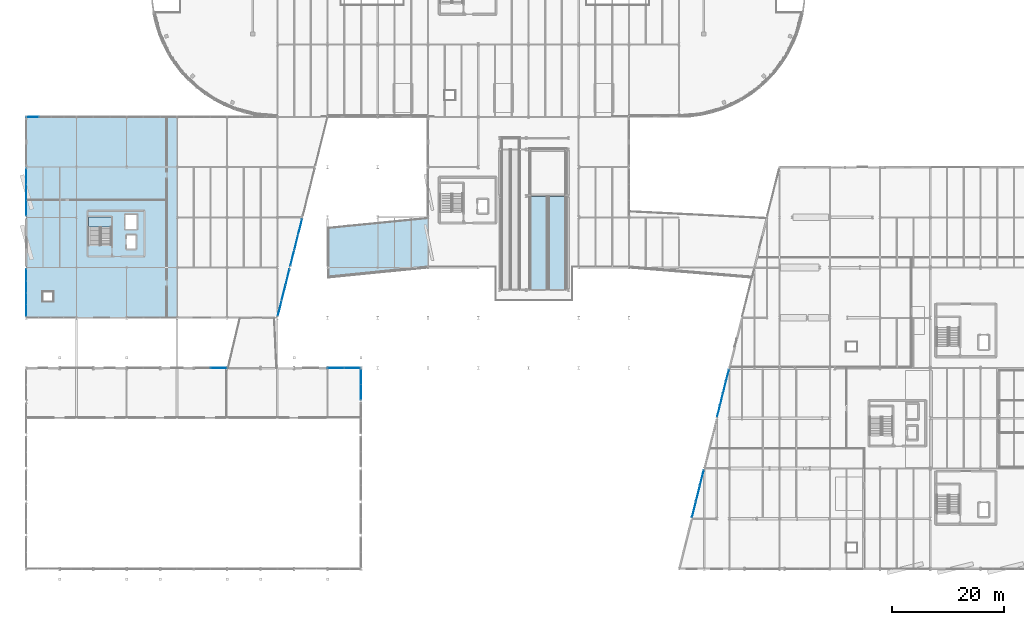
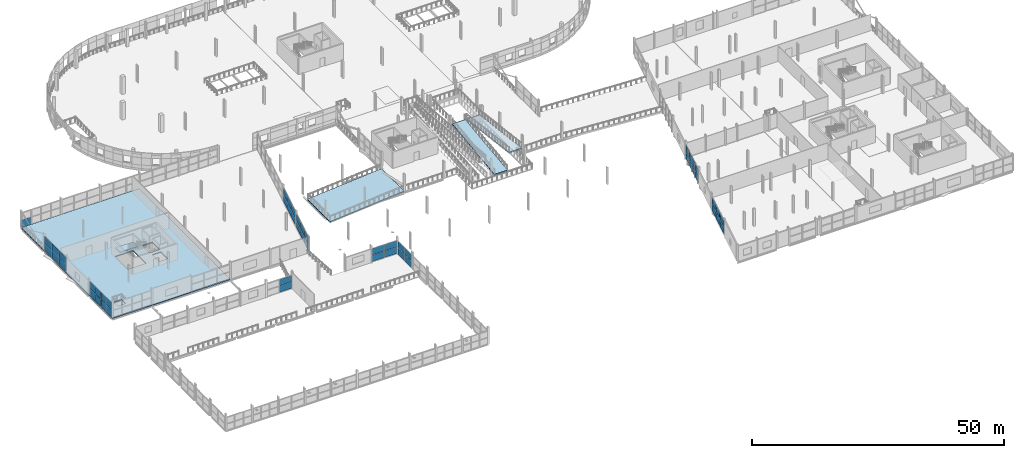
# One storey, part 103 of 135: 51 plates, 5 slabs, 11 elements without a shape of their own.
"""IFC4 building model written with IfcOpenShell, lengths in metres."""

from ifc_helpers import new_model, si_unit, direction, frame, origin, origin_2d, place, context, subcontext, project, spatial, polyline, rectangle, outline, extrude, material, layer, layer_set, type_object, element, aggregate, save


model = new_model("IFC4")

# Units and contexts
model_context = context("Model", 3, precision=1e-05, world=origin(), true_north=direction((0.0, 1.0)))
body_context = subcontext(model_context, "Body", "Model", "MODEL_VIEW")
ifc_project = project(units=[si_unit("LENGTHUNIT", "METRE"), si_unit("AREAUNIT", "SQUARE_METRE"), si_unit("VOLUMEUNIT", "CUBIC_METRE"), si_unit("PLANEANGLEUNIT", "RADIAN"), si_unit("MASSUNIT", "GRAM", prefix="KILO")], contexts=[model_context])

# Site, building, storey
site_placement = place(None, origin())
site = spatial("IfcSite", under=ifc_project, at=site_placement, CompositionType="ELEMENT")
building_placement = place(site_placement, origin())
building = spatial("IfcBuilding", under=site, at=building_placement, Name="Deido Ridge Mobility Hub", CompositionType="ELEMENT")
storey_placement = place(building_placement, frame((0.0, 0.0, 4.199951171875)))
storey = spatial("IfcBuildingStorey", under=building, at=storey_placement, Name="L01", CompositionType="ELEMENT", Elevation=4.199951171875)

# Curtain wall, plates
ifc_material_1 = material(Name="Anodised aluminium EN AW-6063 T6", Category="aluminium")
ifc_layer_1 = layer(ifc_material_1, 0.179931640625, Name="Anodised aluminium EN AW-6063 T6")
ifc_layer_set_1 = layer_set([ifc_layer_1], Name="Anodised aluminium EN AW-6063 T6")
curtain_wall_type_1 = type_object("IfcCurtainWallType", Name="CW-UF-2", PredefinedType="USERDEFINED", material=ifc_layer_set_1)
curtain_wall_1_placement = place(storey_placement, origin())
curtain_wall_1 = element("IfcCurtainWall", 1, at=curtain_wall_1_placement, inside=storey, type_object=curtain_wall_type_1, Name="Unitised curtain wall CW2", ObjectType="UNITISED FACADE", PredefinedType="USERDEFINED")
ifc_material_2 = material(Name="Laminated solar-control low-E glass", Category="glass")
ifc_layer_2 = layer(ifc_material_2, 0.02587890625, Name="Laminated solar-control low-E glass")
ifc_layer_set_2 = layer_set([ifc_layer_2], Name="Laminated solar-control low-E glass")
plate_type_1 = type_object("IfcPlateType", Name="PLT-CWP-26", PredefinedType="CURTAIN_PANEL", material=ifc_layer_set_2)
plate_1_placement = place(storey_placement, frame((124.07177734375, 28.287353515625, 0.050048828125), z_axis=(0.0, 0.0, 1.0), x_axis=(0.242530293767, 0.970143832947, 0.0)))
plate_1 = element("IfcPlate", 2, at=plate_1_placement, type_object=plate_type_1, Name="CW2 panel 1.1", PredefinedType="CURTAIN_PANEL", context=body_context, shape_type="SweptSolid", body=[
    extrude(rectangle(XDim=2.1318359375, YDim=0.02587890625, at=origin_2d()), origin(), (0.0, 0.0, 1.0), 1.5849609375),
])
plate_2_placement = place(storey_placement, frame((124.07177734375, 28.287353515625, 1.68505859375), z_axis=(0.0, 0.0, 1.0), x_axis=(0.242530293767, 0.970143832947, 0.0)))
plate_2 = element("IfcPlate", 3, at=plate_2_placement, type_object=plate_type_1, Name="CW2 panel 1.2", PredefinedType="CURTAIN_PANEL", context=body_context, shape_type="SweptSolid", body=[
    extrude(rectangle(XDim=2.1318359375, YDim=0.02587890625, at=origin_2d()), origin(), (0.0, 0.0, 1.0), 1.5849609375),
])
plate_3_placement = place(storey_placement, frame((124.60400390625, 30.416015625, 0.050048828125), z_axis=(0.0, 0.0, 1.0), x_axis=(0.242530293767, 0.970143832947, 0.0)))
plate_3 = element("IfcPlate", 4, at=plate_3_placement, type_object=plate_type_1, Name="CW2 panel 2.1", PredefinedType="CURTAIN_PANEL", context=body_context, shape_type="SweptSolid", body=[
    extrude(rectangle(XDim=2.15673828125, YDim=0.02587890625, at=origin_2d()), origin(), (0.0, 0.0, 1.0), 1.5849609375),
])
plate_4_placement = place(storey_placement, frame((124.60400390625, 30.416015625, 1.68505859375), z_axis=(0.0, 0.0, 1.0), x_axis=(0.242530293767, 0.970143832947, 0.0)))
plate_4 = element("IfcPlate", 5, at=plate_4_placement, type_object=plate_type_1, Name="CW2 panel 2.2", PredefinedType="CURTAIN_PANEL", context=body_context, shape_type="SweptSolid", body=[
    extrude(rectangle(XDim=2.15673828125, YDim=0.02587890625, at=origin_2d()), origin(), (0.0, 0.0, 1.0), 1.5849609375),
])
plate_5_placement = place(storey_placement, frame((125.13916015625, 32.556884765625, 0.050048828125), z_axis=(0.0, 0.0, 1.0), x_axis=(0.242530293767, 0.970143832947, 0.0)))
plate_5 = element("IfcPlate", 6, at=plate_5_placement, type_object=plate_type_1, Name="CW2 panel 3.1", PredefinedType="CURTAIN_PANEL", context=body_context, shape_type="SweptSolid", body=[
    extrude(rectangle(XDim=2.15673828125, YDim=0.02587890625, at=origin_2d()), origin(), (0.0, 0.0, 1.0), 1.5849609375),
])
plate_6_placement = place(storey_placement, frame((125.13916015625, 32.556884765625, 1.68505859375), z_axis=(0.0, 0.0, 1.0), x_axis=(0.242530293767, 0.970143832947, 0.0)))
plate_6 = element("IfcPlate", 7, at=plate_6_placement, type_object=plate_type_1, Name="CW2 panel 3.2", PredefinedType="CURTAIN_PANEL", context=body_context, shape_type="SweptSolid", body=[
    extrude(rectangle(XDim=2.15673828125, YDim=0.02587890625, at=origin_2d()), origin(), (0.0, 0.0, 1.0), 1.5849609375),
])
plate_7_placement = place(storey_placement, frame((125.67138671875, 34.685546875, 0.050048828125), z_axis=(0.0, 0.0, 1.0), x_axis=(0.242530293767, 0.970143832947, 0.0)))
plate_7 = element("IfcPlate", 8, at=plate_7_placement, type_object=plate_type_1, Name="CW2 panel 4.1", PredefinedType="CURTAIN_PANEL", context=body_context, shape_type="SweptSolid", body=[
    extrude(rectangle(XDim=2.1318359375, YDim=0.02587890625, at=origin_2d()), origin(), (0.0, 0.0, 1.0), 1.5849609375),
])
plate_8_placement = place(storey_placement, frame((125.67138671875, 34.685546875, 1.68505859375), z_axis=(0.0, 0.0, 1.0), x_axis=(0.242530293767, 0.970143832947, 0.0)))
plate_8 = element("IfcPlate", 9, at=plate_8_placement, type_object=plate_type_1, Name="CW2 panel 4.2", PredefinedType="CURTAIN_PANEL", context=body_context, shape_type="SweptSolid", body=[
    extrude(rectangle(XDim=2.1318359375, YDim=0.02587890625, at=origin_2d()), origin(), (0.0, 0.0, 1.0), 1.5849609375),
])
aggregate(curtain_wall_1, [plate_1, plate_2, plate_3, plate_4, plate_5, plate_6, plate_7, plate_8])

ifc_layer_3 = layer(ifc_material_1, 0.195068359375, Name="Anodised aluminium EN AW-6063 T6")
ifc_layer_set_3 = layer_set([ifc_layer_3], Name="Anodised aluminium EN AW-6063 T6")
curtain_wall_type_2 = type_object("IfcCurtainWallType", Name="CW-UF-3", PredefinedType="USERDEFINED", material=ifc_layer_set_3)
curtain_wall_2_placement = place(storey_placement, origin())
curtain_wall_2 = element("IfcCurtainWall", 10, at=curtain_wall_2_placement, inside=storey, type_object=curtain_wall_type_2, Name="Unitised curtain wall CW3", ObjectType="UNITISED FACADE", PredefinedType="USERDEFINED")
ifc_layer_4 = layer(ifc_material_2, 0.029052734375, Name="Laminated solar-control low-E glass")
ifc_layer_set_4 = layer_set([ifc_layer_4], Name="Laminated solar-control low-E glass")
plate_type_2 = type_object("IfcPlateType", Name="PLT-CWP-29", PredefinedType="CURTAIN_PANEL", material=ifc_layer_set_4)
plate_9_placement = place(storey_placement, frame((60.0, 31.686767578125, 0.05517578125), z_axis=(0.0, 0.0, 1.0), x_axis=(0.0, 1.0, 0.0)))
plate_9 = element("IfcPlate", 11, at=plate_9_placement, type_object=plate_type_2, Name="CW3 panel 1.1", PredefinedType="CURTAIN_PANEL", context=body_context, shape_type="SweptSolid", body=[
    extrude(rectangle(XDim=2.66357421875, YDim=0.029052734375, at=origin_2d()), origin(), (0.0, 0.0, 1.0), 1.54248046875),
])
plate_10_placement = place(storey_placement, frame((60.0, 31.686767578125, 1.652587890625), z_axis=(0.0, 0.0, 1.0), x_axis=(0.0, 1.0, 0.0)))
plate_10 = element("IfcPlate", 12, at=plate_10_placement, type_object=plate_type_2, Name="CW3 panel 1.2", PredefinedType="CURTAIN_PANEL", context=body_context, shape_type="SweptSolid", body=[
    extrude(rectangle(XDim=2.66357421875, YDim=0.029052734375, at=origin_2d()), origin(), (0.0, 0.0, 1.0), 1.54248046875),
])
plate_11_placement = place(storey_placement, frame((60.0, 34.4052734375, 0.05517578125), z_axis=(0.0, 0.0, 1.0), x_axis=(0.0, 1.0, 0.0)))
plate_11 = element("IfcPlate", 13, at=plate_11_placement, type_object=plate_type_2, Name="CW3 panel 2.1", PredefinedType="CURTAIN_PANEL", context=body_context, shape_type="SweptSolid", body=[
    extrude(rectangle(XDim=2.66357421875, YDim=0.029052734375, at=origin_2d()), origin(), (0.0, 0.0, 1.0), 1.54248046875),
])
plate_12_placement = place(storey_placement, frame((60.0, 34.4052734375, 1.652587890625), z_axis=(0.0, 0.0, 1.0), x_axis=(0.0, 1.0, 0.0)))
plate_12 = element("IfcPlate", 14, at=plate_12_placement, type_object=plate_type_2, Name="CW3 panel 2.2", PredefinedType="CURTAIN_PANEL", context=body_context, shape_type="SweptSolid", body=[
    extrude(rectangle(XDim=2.66357421875, YDim=0.029052734375, at=origin_2d()), origin(), (0.0, 0.0, 1.0), 1.54248046875),
])
aggregate(curtain_wall_2, [plate_9, plate_10, plate_11, plate_12])

curtain_wall_3_placement = place(storey_placement, origin())
curtain_wall_3 = element("IfcCurtainWall", 15, at=curtain_wall_3_placement, inside=storey, type_object=curtain_wall_type_1, Name="Unitised curtain wall CW2", ObjectType="UNITISED FACADE", PredefinedType="USERDEFINED")
plate_13_placement = place(storey_placement, frame((0.0, 46.326171875, 0.05517578125), z_axis=(0.0, 0.0, 1.0), x_axis=(0.0, 1.0, 0.0)))
plate_13 = element("IfcPlate", 16, at=plate_13_placement, type_object=plate_type_2, Name="CW2 panel 1.1", PredefinedType="CURTAIN_PANEL", context=body_context, shape_type="SweptSolid", body=[
    extrude(rectangle(XDim=2.04248046875, YDim=0.029052734375, at=origin_2d()), origin(), (0.0, 0.0, 1.0), 1.717529296875),
])
plate_14_placement = place(storey_placement, frame((0.0, 46.326171875, 1.82763671875), z_axis=(0.0, 0.0, 1.0), x_axis=(0.0, 1.0, 0.0)))
plate_14 = element("IfcPlate", 17, at=plate_14_placement, type_object=plate_type_2, Name="CW2 panel 1.2", PredefinedType="CURTAIN_PANEL", context=body_context, shape_type="SweptSolid", body=[
    extrude(rectangle(XDim=2.04248046875, YDim=0.029052734375, at=origin_2d()), origin(), (0.0, 0.0, 1.0), 1.717529296875),
])
plate_15_placement = place(storey_placement, frame((0.0, 48.4375, 0.05517578125), z_axis=(0.0, 0.0, 1.0), x_axis=(0.0, 1.0, 0.0)))
plate_15 = element("IfcPlate", 18, at=plate_15_placement, type_object=plate_type_2, Name="CW2 panel 2.1", PredefinedType="CURTAIN_PANEL", context=body_context, shape_type="SweptSolid", body=[
    extrude(rectangle(XDim=2.070068359375, YDim=0.029052734375, at=origin_2d()), origin(), (0.0, 0.0, 1.0), 1.717529296875),
])
plate_16_placement = place(storey_placement, frame((0.0, 48.4375, 1.82763671875), z_axis=(0.0, 0.0, 1.0), x_axis=(0.0, 1.0, 0.0)))
plate_16 = element("IfcPlate", 19, at=plate_16_placement, type_object=plate_type_2, Name="CW2 panel 2.2", PredefinedType="CURTAIN_PANEL", context=body_context, shape_type="SweptSolid", body=[
    extrude(rectangle(XDim=2.070068359375, YDim=0.029052734375, at=origin_2d()), origin(), (0.0, 0.0, 1.0), 1.717529296875),
])
plate_17_placement = place(storey_placement, frame((0.0, 50.5625, 0.05517578125), z_axis=(0.0, 0.0, 1.0), x_axis=(0.0, 1.0, 0.0)))
plate_17 = element("IfcPlate", 20, at=plate_17_placement, type_object=plate_type_2, Name="CW2 panel 3.1", PredefinedType="CURTAIN_PANEL", context=body_context, shape_type="SweptSolid", body=[
    extrude(rectangle(XDim=2.070068359375, YDim=0.029052734375, at=origin_2d()), origin(), (0.0, 0.0, 1.0), 1.717529296875),
])
plate_18_placement = place(storey_placement, frame((0.0, 50.5625, 1.82763671875), z_axis=(0.0, 0.0, 1.0), x_axis=(0.0, 1.0, 0.0)))
plate_18 = element("IfcPlate", 21, at=plate_18_placement, type_object=plate_type_2, Name="CW2 panel 3.2", PredefinedType="CURTAIN_PANEL", context=body_context, shape_type="SweptSolid", body=[
    extrude(rectangle(XDim=2.070068359375, YDim=0.029052734375, at=origin_2d()), origin(), (0.0, 0.0, 1.0), 1.717529296875),
])
plate_19_placement = place(storey_placement, frame((0.0, 52.673828125, 0.05517578125), z_axis=(0.0, 0.0, 1.0), x_axis=(0.0, 1.0, 0.0)))
plate_19 = element("IfcPlate", 22, at=plate_19_placement, type_object=plate_type_2, Name="CW2 panel 4.1", PredefinedType="CURTAIN_PANEL", context=body_context, shape_type="SweptSolid", body=[
    extrude(rectangle(XDim=2.04248046875, YDim=0.029052734375, at=origin_2d()), origin(), (0.0, 0.0, 1.0), 1.717529296875),
])
plate_20_placement = place(storey_placement, frame((0.0, 52.673828125, 1.82763671875), z_axis=(0.0, 0.0, 1.0), x_axis=(0.0, 1.0, 0.0)))
plate_20 = element("IfcPlate", 23, at=plate_20_placement, type_object=plate_type_2, Name="CW2 panel 4.2", PredefinedType="CURTAIN_PANEL", context=body_context, shape_type="SweptSolid", body=[
    extrude(rectangle(XDim=2.04248046875, YDim=0.029052734375, at=origin_2d()), origin(), (0.0, 0.0, 1.0), 1.717529296875),
])
aggregate(curtain_wall_3, [plate_13, plate_14, plate_15, plate_16, plate_17, plate_18, plate_19, plate_20])

# Curtain wall, plate
ifc_layer_5 = layer(ifc_material_1, 0.132080078125, Name="Anodised aluminium EN AW-6063 T6")
ifc_layer_set_5 = layer_set([ifc_layer_5], Name="Anodised aluminium EN AW-6063 T6")
curtain_wall_type_3 = type_object("IfcCurtainWallType", Name="CW-GS-1", PredefinedType="USERDEFINED", material=ifc_layer_set_5)
curtain_wall_4_placement = place(storey_placement, origin())
curtain_wall_4 = element("IfcCurtainWall", 24, at=curtain_wall_4_placement, inside=storey, type_object=curtain_wall_type_3, Name="Unitised curtain wall GS1", ObjectType="GLAZED SCREEN", PredefinedType="USERDEFINED")
plate_21_placement = place(storey_placement, frame((1.144287109375, 81.0, 0.05517578125), z_axis=(0.0, 0.0, 1.0), x_axis=(1.0, 0.0, 0.0)))
plate_21 = element("IfcPlate", 25, at=plate_21_placement, type_object=plate_type_2, Name="GS1 panel 1.1", PredefinedType="CURTAIN_PANEL", context=body_context, shape_type="SweptSolid", body=[
    extrude(rectangle(XDim=2.163818359375, YDim=0.029052734375, at=origin_2d()), origin(), (0.0, 0.0, 1.0), 1.717529296875),
])
aggregate(curtain_wall_4, [plate_21])

# Curtain wall, plates
ifc_layer_6 = layer(ifc_material_1, 0.14404296875, Name="Anodised aluminium EN AW-6063 T6")
ifc_layer_set_6 = layer_set([ifc_layer_6], Name="Anodised aluminium EN AW-6063 T6")
curtain_wall_type_4 = type_object("IfcCurtainWallType", Name="CW-GS-2", PredefinedType="USERDEFINED", material=ifc_layer_set_6)
curtain_wall_5_placement = place(storey_placement, origin())
curtain_wall_5 = element("IfcCurtainWall", 26, at=curtain_wall_5_placement, inside=storey, type_object=curtain_wall_type_4, Name="Unitised curtain wall GS2", ObjectType="GLAZED SCREEN", PredefinedType="USERDEFINED")
ifc_layer_7 = layer(ifc_material_2, 0.031005859375, Name="Laminated solar-control low-E glass")
ifc_layer_set_7 = layer_set([ifc_layer_7], Name="Laminated solar-control low-E glass")
plate_type_3 = type_object("IfcPlateType", Name="PLT-CWP-31", PredefinedType="CURTAIN_PANEL", material=ifc_layer_set_7)
plate_22_placement = place(storey_placement, frame((55.517822265625, 36.0, 0.06005859375), z_axis=(0.0, 0.0, 1.0), x_axis=(1.0, 0.0, 0.0)))
plate_22 = element("IfcPlate", 27, at=plate_22_placement, type_object=plate_type_3, Name="GS2 panel 1.1", PredefinedType="CURTAIN_PANEL", context=body_context, shape_type="SweptSolid", body=[
    extrude(rectangle(XDim=2.900146484375, YDim=0.031005859375, at=origin_2d()), origin(), (0.0, 0.0, 1.0), 1.534912109375),
])
plate_23_placement = place(storey_placement, frame((55.517822265625, 36.0, 1.6552734375), z_axis=(0.0, 0.0, 1.0), x_axis=(1.0, 0.0, 0.0)))
plate_23 = element("IfcPlate", 28, at=plate_23_placement, type_object=plate_type_3, Name="GS2 panel 1.2", PredefinedType="CURTAIN_PANEL", context=body_context, shape_type="SweptSolid", body=[
    extrude(rectangle(XDim=2.900146484375, YDim=0.031005859375, at=origin_2d()), origin(), (0.0, 0.0, 1.0), 1.534912109375),
])
plate_24_placement = place(storey_placement, frame((58.47802734375, 36.0, 0.06005859375), z_axis=(0.0, 0.0, 1.0), x_axis=(1.0, 0.0, 0.0)))
plate_24 = element("IfcPlate", 29, at=plate_24_placement, type_object=plate_type_3, Name="GS2 panel 2.1", PredefinedType="CURTAIN_PANEL", context=body_context, shape_type="SweptSolid", body=[
    extrude(rectangle(XDim=2.900146484375, YDim=0.031005859375, at=origin_2d()), origin(), (0.0, 0.0, 1.0), 1.534912109375),
])
plate_25_placement = place(storey_placement, frame((58.47802734375, 36.0, 1.6552734375), z_axis=(0.0, 0.0, 1.0), x_axis=(1.0, 0.0, 0.0)))
plate_25 = element("IfcPlate", 30, at=plate_25_placement, type_object=plate_type_3, Name="GS2 panel 2.2", PredefinedType="CURTAIN_PANEL", context=body_context, shape_type="SweptSolid", body=[
    extrude(rectangle(XDim=2.900146484375, YDim=0.031005859375, at=origin_2d()), origin(), (0.0, 0.0, 1.0), 1.534912109375),
])
aggregate(curtain_wall_5, [plate_22, plate_23, plate_24, plate_25])

ifc_layer_8 = layer(ifc_material_1, 0.2099609375, Name="Anodised aluminium EN AW-6063 T6")
ifc_layer_set_8 = layer_set([ifc_layer_8], Name="Anodised aluminium EN AW-6063 T6")
curtain_wall_type_5 = type_object("IfcCurtainWallType", Name="CW-UF-4", PredefinedType="USERDEFINED", material=ifc_layer_set_8)
curtain_wall_6_placement = place(storey_placement, origin())
curtain_wall_6 = element("IfcCurtainWall", 31, at=curtain_wall_6_placement, inside=storey, type_object=curtain_wall_type_5, Name="Unitised curtain wall CW4", ObjectType="UNITISED FACADE", PredefinedType="USERDEFINED")
ifc_layer_9 = layer(ifc_material_2, 0.032958984375, Name="Laminated solar-control low-E glass")
ifc_layer_set_9 = layer_set([ifc_layer_9], Name="Laminated solar-control low-E glass")
plate_type_4 = type_object("IfcPlateType", Name="PLT-CWP-33", PredefinedType="CURTAIN_PANEL", material=ifc_layer_set_9)
plate_26_placement = place(storey_placement, frame((0.0, 64.682861328125, 0.06494140625), z_axis=(0.0, 0.0, 1.0), x_axis=(0.0, 1.0, 0.0)))
plate_26 = element("IfcPlate", 32, at=plate_26_placement, type_object=plate_type_4, Name="CW4 panel 1.1", PredefinedType="CURTAIN_PANEL", context=body_context, shape_type="SweptSolid", body=[
    extrude(rectangle(XDim=2.73583984375, YDim=0.032958984375, at=origin_2d()), origin(), (0.0, 0.0, 1.0), 1.702392578125),
])
plate_27_placement = place(storey_placement, frame((0.0, 64.682861328125, 1.83251953125), z_axis=(0.0, 0.0, 1.0), x_axis=(0.0, 1.0, 0.0)))
plate_27 = element("IfcPlate", 33, at=plate_27_placement, type_object=plate_type_4, Name="CW4 panel 1.2", PredefinedType="CURTAIN_PANEL", context=body_context, shape_type="SweptSolid", body=[
    extrude(rectangle(XDim=2.73583984375, YDim=0.032958984375, at=origin_2d()), origin(), (0.0, 0.0, 1.0), 1.702392578125),
])
plate_28_placement = place(storey_placement, frame((0.0, 67.5, 0.06494140625), z_axis=(0.0, 0.0, 1.0), x_axis=(0.0, 1.0, 0.0)))
plate_28 = element("IfcPlate", 34, at=plate_28_placement, type_object=plate_type_4, Name="CW4 panel 2.1", PredefinedType="CURTAIN_PANEL", context=body_context, shape_type="SweptSolid", body=[
    extrude(rectangle(XDim=2.768310546875, YDim=0.032958984375, at=origin_2d()), origin(), (0.0, 0.0, 1.0), 1.702392578125),
])
plate_29_placement = place(storey_placement, frame((0.0, 67.5, 1.83251953125), z_axis=(0.0, 0.0, 1.0), x_axis=(0.0, 1.0, 0.0)))
plate_29 = element("IfcPlate", 35, at=plate_29_placement, type_object=plate_type_4, Name="CW4 panel 2.2", PredefinedType="CURTAIN_PANEL", context=body_context, shape_type="SweptSolid", body=[
    extrude(rectangle(XDim=2.768310546875, YDim=0.032958984375, at=origin_2d()), origin(), (0.0, 0.0, 1.0), 1.702392578125),
])
plate_30_placement = place(storey_placement, frame((0.0, 70.317138671875, 0.06494140625), z_axis=(0.0, 0.0, 1.0), x_axis=(0.0, 1.0, 0.0)))
plate_30 = element("IfcPlate", 36, at=plate_30_placement, type_object=plate_type_4, Name="CW4 panel 3.1", PredefinedType="CURTAIN_PANEL", context=body_context, shape_type="SweptSolid", body=[
    extrude(rectangle(XDim=2.73583984375, YDim=0.032958984375, at=origin_2d()), origin(), (0.0, 0.0, 1.0), 1.702392578125),
])
plate_31_placement = place(storey_placement, frame((0.0, 70.317138671875, 1.83251953125), z_axis=(0.0, 0.0, 1.0), x_axis=(0.0, 1.0, 0.0)))
plate_31 = element("IfcPlate", 37, at=plate_31_placement, type_object=plate_type_4, Name="CW4 panel 3.2", PredefinedType="CURTAIN_PANEL", context=body_context, shape_type="SweptSolid", body=[
    extrude(rectangle(XDim=2.73583984375, YDim=0.032958984375, at=origin_2d()), origin(), (0.0, 0.0, 1.0), 1.702392578125),
])
aggregate(curtain_wall_6, [plate_26, plate_27, plate_28, plate_29, plate_30, plate_31])

ifc_layer_10 = layer(ifc_material_1, 0.22509765625, Name="Anodised aluminium EN AW-6063 T6")
ifc_layer_set_10 = layer_set([ifc_layer_10], Name="Anodised aluminium EN AW-6063 T6")
curtain_wall_type_6 = type_object("IfcCurtainWallType", Name="CW-UF-5", PredefinedType="USERDEFINED", material=ifc_layer_set_10)
curtain_wall_7_placement = place(storey_placement, origin())
curtain_wall_7 = element("IfcCurtainWall", 38, at=curtain_wall_7_placement, inside=storey, type_object=curtain_wall_type_6, Name="Unitised curtain wall CW5", ObjectType="UNITISED FACADE", PredefinedType="USERDEFINED")
ifc_layer_11 = layer(ifc_material_2, 0.037109375, Name="Laminated solar-control low-E glass")
ifc_layer_set_11 = layer_set([ifc_layer_11], Name="Laminated solar-control low-E glass")
plate_type_5 = type_object("IfcPlateType", Name="PLT-CWP-37", PredefinedType="CURTAIN_PANEL", material=ifc_layer_set_11)
plate_32_placement = place(storey_placement, frame((45.424560546875, 46.698486328125, 0.074951171875), z_axis=(0.0, 0.0, 1.0), x_axis=(0.242546419373, 0.970139801497, 0.0)))
plate_32 = element("IfcPlate", 39, at=plate_32_placement, type_object=plate_type_5, Name="CW5 panel 1.1", PredefinedType="CURTAIN_PANEL", context=body_context, shape_type="SweptSolid", body=[
    extrude(rectangle(XDim=2.7939453125, YDim=0.037109375, at=origin_2d()), origin(), (0.0, 0.0, 1.0), 1.6875),
])
plate_33_placement = place(storey_placement, frame((45.424560546875, 46.698486328125, 1.837646484375), z_axis=(0.0, 0.0, 1.0), x_axis=(0.242546419373, 0.970139801497, 0.0)))
plate_33 = element("IfcPlate", 40, at=plate_33_placement, type_object=plate_type_5, Name="CW5 panel 1.2", PredefinedType="CURTAIN_PANEL", context=body_context, shape_type="SweptSolid", body=[
    extrude(rectangle(XDim=2.7939453125, YDim=0.037109375, at=origin_2d()), origin(), (0.0, 0.0, 1.0), 1.6875),
])
plate_34_placement = place(storey_placement, frame((46.125, 49.5, 0.074951171875), z_axis=(0.0, 0.0, 1.0), x_axis=(0.242546419373, 0.970139801497, 0.0)))
plate_34 = element("IfcPlate", 41, at=plate_34_placement, type_object=plate_type_5, Name="CW5 panel 2.1", PredefinedType="CURTAIN_PANEL", context=body_context, shape_type="SweptSolid", body=[
    extrude(rectangle(XDim=2.831298828125, YDim=0.037109375, at=origin_2d()), origin(), (0.0, 0.0, 1.0), 1.6875),
])
plate_35_placement = place(storey_placement, frame((46.125, 49.5, 1.837646484375), z_axis=(0.0, 0.0, 1.0), x_axis=(0.242546419373, 0.970139801497, 0.0)))
plate_35 = element("IfcPlate", 42, at=plate_35_placement, type_object=plate_type_5, Name="CW5 panel 2.2", PredefinedType="CURTAIN_PANEL", context=body_context, shape_type="SweptSolid", body=[
    extrude(rectangle(XDim=2.831298828125, YDim=0.037109375, at=origin_2d()), origin(), (0.0, 0.0, 1.0), 1.6875),
])
plate_36_placement = place(storey_placement, frame((46.825439453125, 52.301513671875, 0.074951171875), z_axis=(0.0, 0.0, 1.0), x_axis=(0.242546419373, 0.970139801497, 0.0)))
plate_36 = element("IfcPlate", 43, at=plate_36_placement, type_object=plate_type_5, Name="CW5 panel 3.1", PredefinedType="CURTAIN_PANEL", context=body_context, shape_type="SweptSolid", body=[
    extrude(rectangle(XDim=2.7939453125, YDim=0.037109375, at=origin_2d()), origin(), (0.0, 0.0, 1.0), 1.6875),
])
plate_37_placement = place(storey_placement, frame((46.825439453125, 52.301513671875, 1.837646484375), z_axis=(0.0, 0.0, 1.0), x_axis=(0.242546419373, 0.970139801497, 0.0)))
plate_37 = element("IfcPlate", 44, at=plate_37_placement, type_object=plate_type_5, Name="CW5 panel 3.2", PredefinedType="CURTAIN_PANEL", context=body_context, shape_type="SweptSolid", body=[
    extrude(rectangle(XDim=2.7939453125, YDim=0.037109375, at=origin_2d()), origin(), (0.0, 0.0, 1.0), 1.6875),
])
aggregate(curtain_wall_7, [plate_32, plate_33, plate_34, plate_35, plate_36, plate_37])

curtain_wall_8_placement = place(storey_placement, origin())
curtain_wall_8 = element("IfcCurtainWall", 45, at=curtain_wall_8_placement, inside=storey, type_object=curtain_wall_type_4, Name="Unitised curtain wall GS2", ObjectType="GLAZED SCREEN", PredefinedType="USERDEFINED")
ifc_layer_12 = layer(ifc_material_2, 0.0390625, Name="Laminated solar-control low-E glass")
ifc_layer_set_12 = layer_set([ifc_layer_12], Name="Laminated solar-control low-E glass")
plate_type_6 = type_object("IfcPlateType", Name="PLT-CWP-39", PredefinedType="CURTAIN_PANEL", material=ifc_layer_set_12)
plate_38_placement = place(storey_placement, frame((34.47705078125, 36.0, 0.080078125), z_axis=(0.0, 0.0, 1.0), x_axis=(1.0, 0.0, 0.0)))
plate_38 = element("IfcPlate", 46, at=plate_38_placement, type_object=plate_type_6, Name="GS2 panel 2.1", PredefinedType="CURTAIN_PANEL", context=body_context, shape_type="SweptSolid", body=[
    extrude(rectangle(XDim=2.8701171875, YDim=0.0390625, at=origin_2d()), origin(), (0.0, 0.0, 1.0), 1.5048828125),
])
plate_39_placement = place(storey_placement, frame((34.47705078125, 36.0, 1.6650390625), z_axis=(0.0, 0.0, 1.0), x_axis=(1.0, 0.0, 0.0)))
plate_39 = element("IfcPlate", 47, at=plate_39_placement, type_object=plate_type_6, Name="GS2 panel 2.2", PredefinedType="CURTAIN_PANEL", context=body_context, shape_type="SweptSolid", body=[
    extrude(rectangle(XDim=2.8701171875, YDim=0.0390625, at=origin_2d()), origin(), (0.0, 0.0, 1.0), 1.5048828125),
])
aggregate(curtain_wall_8, [plate_38, plate_39])

ifc_layer_13 = layer(ifc_material_1, 0.239990234375, Name="Anodised aluminium EN AW-6063 T6")
ifc_layer_set_13 = layer_set([ifc_layer_13], Name="Anodised aluminium EN AW-6063 T6")
curtain_wall_type_7 = type_object("IfcCurtainWallType", Name="CW-UF-6", PredefinedType="USERDEFINED", material=ifc_layer_set_13)
curtain_wall_9_placement = place(storey_placement, origin())
curtain_wall_9 = element("IfcCurtainWall", 48, at=curtain_wall_9_placement, inside=storey, type_object=curtain_wall_type_7, Name="Unitised curtain wall CW6", ObjectType="UNITISED FACADE", PredefinedType="USERDEFINED")
plate_40_placement = place(storey_placement, frame((47.6748046875, 55.69970703125, 0.080078125), z_axis=(0.0, 0.0, 1.0), x_axis=(0.242546419373, 0.970139801497, 0.0)))
plate_40 = element("IfcPlate", 49, at=plate_40_placement, type_object=plate_type_6, Name="CW6 panel 1.1", PredefinedType="CURTAIN_PANEL", context=body_context, shape_type="SweptSolid", body=[
    extrude(rectangle(XDim=2.786376953125, YDim=0.0390625, at=origin_2d()), origin(), (0.0, 0.0, 1.0), 1.679931640625),
])
plate_41_placement = place(storey_placement, frame((47.6748046875, 55.69970703125, 1.83984375), z_axis=(0.0, 0.0, 1.0), x_axis=(0.242546419373, 0.970139801497, 0.0)))
plate_41 = element("IfcPlate", 50, at=plate_41_placement, type_object=plate_type_6, Name="CW6 panel 1.2", PredefinedType="CURTAIN_PANEL", context=body_context, shape_type="SweptSolid", body=[
    extrude(rectangle(XDim=2.786376953125, YDim=0.0390625, at=origin_2d()), origin(), (0.0, 0.0, 1.0), 1.679931640625),
])
plate_42_placement = place(storey_placement, frame((48.375, 58.5, 0.080078125), z_axis=(0.0, 0.0, 1.0), x_axis=(0.242546419373, 0.970139801497, 0.0)))
plate_42 = element("IfcPlate", 51, at=plate_42_placement, type_object=plate_type_6, Name="CW6 panel 2.1", PredefinedType="CURTAIN_PANEL", context=body_context, shape_type="SweptSolid", body=[
    extrude(rectangle(XDim=2.826416015625, YDim=0.0390625, at=origin_2d()), origin(), (0.0, 0.0, 1.0), 1.679931640625),
])
plate_43_placement = place(storey_placement, frame((48.375, 58.5, 1.83984375), z_axis=(0.0, 0.0, 1.0), x_axis=(0.242546419373, 0.970139801497, 0.0)))
plate_43 = element("IfcPlate", 52, at=plate_43_placement, type_object=plate_type_6, Name="CW6 panel 2.2", PredefinedType="CURTAIN_PANEL", context=body_context, shape_type="SweptSolid", body=[
    extrude(rectangle(XDim=2.826416015625, YDim=0.0390625, at=origin_2d()), origin(), (0.0, 0.0, 1.0), 1.679931640625),
])
plate_44_placement = place(storey_placement, frame((49.0751953125, 61.30029296875, 0.080078125), z_axis=(0.0, 0.0, 1.0), x_axis=(0.242546419373, 0.970139801497, 0.0)))
plate_44 = element("IfcPlate", 53, at=plate_44_placement, type_object=plate_type_6, Name="CW6 panel 3.1", PredefinedType="CURTAIN_PANEL", context=body_context, shape_type="SweptSolid", body=[
    extrude(rectangle(XDim=2.786376953125, YDim=0.0390625, at=origin_2d()), origin(), (0.0, 0.0, 1.0), 1.679931640625),
])
plate_45_placement = place(storey_placement, frame((49.0751953125, 61.30029296875, 1.83984375), z_axis=(0.0, 0.0, 1.0), x_axis=(0.242546419373, 0.970139801497, 0.0)))
plate_45 = element("IfcPlate", 54, at=plate_45_placement, type_object=plate_type_6, Name="CW6 panel 3.2", PredefinedType="CURTAIN_PANEL", context=body_context, shape_type="SweptSolid", body=[
    extrude(rectangle(XDim=2.786376953125, YDim=0.0390625, at=origin_2d()), origin(), (0.0, 0.0, 1.0), 1.679931640625),
])
aggregate(curtain_wall_9, [plate_40, plate_41, plate_42, plate_43, plate_44, plate_45])

ifc_layer_14 = layer(ifc_material_1, 0.27001953125, Name="Anodised aluminium EN AW-6063 T6")
ifc_layer_set_14 = layer_set([ifc_layer_14], Name="Anodised aluminium EN AW-6063 T6")
curtain_wall_type_8 = type_object("IfcCurtainWallType", Name="CW-UF-8", PredefinedType="USERDEFINED", material=ifc_layer_set_14)
curtain_wall_10_placement = place(storey_placement, origin())
curtain_wall_10 = element("IfcCurtainWall", 55, at=curtain_wall_10_placement, inside=storey, type_object=curtain_wall_type_8, Name="Unitised curtain wall CW8", ObjectType="UNITISED FACADE", PredefinedType="USERDEFINED")
plate_46_placement = place(storey_placement, frame((119.6640625, 10.65576171875, 0.080078125), z_axis=(0.0, 0.0, 1.0), x_axis=(0.242530310632, 0.970143828731, 0.0)))
plate_46 = element("IfcPlate", 56, at=plate_46_placement, type_object=plate_type_6, Name="CW8 panel 1.1", PredefinedType="CURTAIN_PANEL", context=body_context, shape_type="SweptSolid", body=[
    extrude(rectangle(XDim=2.83154296875, YDim=0.0390625, at=origin_2d()), origin(), (0.0, 0.0, 1.0), 1.5400390625),
])
plate_47_placement = place(storey_placement, frame((119.6640625, 10.65576171875, 1.699951171875), z_axis=(0.0, 0.0, 1.0), x_axis=(0.242530310632, 0.970143828731, 0.0)))
plate_47 = element("IfcPlate", 57, at=plate_47_placement, type_object=plate_type_6, Name="CW8 panel 1.2", PredefinedType="CURTAIN_PANEL", context=body_context, shape_type="SweptSolid", body=[
    extrude(rectangle(XDim=2.83154296875, YDim=0.0390625, at=origin_2d()), origin(), (0.0, 0.0, 1.0), 1.5400390625),
])
plate_48_placement = place(storey_placement, frame((120.375, 13.5, 0.080078125), z_axis=(0.0, 0.0, 1.0), x_axis=(0.242530310632, 0.970143828731, 0.0)))
plate_48 = element("IfcPlate", 58, at=plate_48_placement, type_object=plate_type_6, Name="CW8 panel 2.1", PredefinedType="CURTAIN_PANEL", context=body_context, shape_type="SweptSolid", body=[
    extrude(rectangle(XDim=2.87158203125, YDim=0.0390625, at=origin_2d()), origin(), (0.0, 0.0, 1.0), 1.5400390625),
])
plate_49_placement = place(storey_placement, frame((120.375, 13.5, 1.699951171875), z_axis=(0.0, 0.0, 1.0), x_axis=(0.242530310632, 0.970143828731, 0.0)))
plate_49 = element("IfcPlate", 59, at=plate_49_placement, type_object=plate_type_6, Name="CW8 panel 2.2", PredefinedType="CURTAIN_PANEL", context=body_context, shape_type="SweptSolid", body=[
    extrude(rectangle(XDim=2.87158203125, YDim=0.0390625, at=origin_2d()), origin(), (0.0, 0.0, 1.0), 1.5400390625),
])
plate_50_placement = place(storey_placement, frame((121.0859375, 16.34423828125, 0.080078125), z_axis=(0.0, 0.0, 1.0), x_axis=(0.242530310632, 0.970143828731, 0.0)))
plate_50 = element("IfcPlate", 60, at=plate_50_placement, type_object=plate_type_6, Name="CW8 panel 3.1", PredefinedType="CURTAIN_PANEL", context=body_context, shape_type="SweptSolid", body=[
    extrude(rectangle(XDim=2.83154296875, YDim=0.0390625, at=origin_2d()), origin(), (0.0, 0.0, 1.0), 1.5400390625),
])
plate_51_placement = place(storey_placement, frame((121.0859375, 16.34423828125, 1.699951171875), z_axis=(0.0, 0.0, 1.0), x_axis=(0.242530310632, 0.970143828731, 0.0)))
plate_51 = element("IfcPlate", 61, at=plate_51_placement, type_object=plate_type_6, Name="CW8 panel 3.2", PredefinedType="CURTAIN_PANEL", context=body_context, shape_type="SweptSolid", body=[
    extrude(rectangle(XDim=2.83154296875, YDim=0.0390625, at=origin_2d()), origin(), (0.0, 0.0, 1.0), 1.5400390625),
])
aggregate(curtain_wall_10, [plate_46, plate_47, plate_48, plate_49, plate_50, plate_51])

# Slabs
ifc_material_3 = material(Name="Concrete C35/45", Category="concrete")
ifc_layer_15 = layer(ifc_material_3, 0.25, Name="Concrete C35/45")
ifc_layer_set_15 = layer_set([ifc_layer_15], Name="Concrete C35/45")
slab_type_1 = type_object("IfcSlabType", Name="SLB-FLR-250", PredefinedType="FLOOR", material=ifc_layer_set_15)
slab_1_placement = place(storey_placement, frame((0.0, 0.0, -0.25)))
element("IfcSlab", 62, at=slab_1_placement, inside=storey, type_object=slab_type_1, Name="L01 V5 structural deck 24", PredefinedType="FLOOR", context=body_context, shape_type="SweptSolid", body=[
    extrude(outline(polyline([(0.0, 81.0), (27.0, 81.0), (27.0, 45.0), (0.0, 45.0), (0.0, 81.0)]), holes=[polyline([(3.0, 48.0), (3.0, 49.60009765625), (4.800048828125, 49.60009765625), (4.800048828125, 48.0), (3.0, 48.0)]), polyline([(17.85009765625, 57.25), (17.85009765625, 59.949951171875), (19.75, 59.949951171875), (19.75, 57.25), (17.85009765625, 57.25)]), polyline([(11.139892578125, 58.0), (11.139892578125, 63.10009765625), (15.239990234375, 63.10009765625), (15.239990234375, 58.0), (11.139892578125, 58.0)]), polyline([(17.64990234375, 60.75), (17.64990234375, 63.64990234375), (19.949951171875, 63.64990234375), (19.949951171875, 60.75), (17.64990234375, 60.75)])]), origin(), (0.0, 0.0, 1.0), 0.25),
])
slab_2_placement = place(storey_placement, frame((0.0, 0.0, -0.25)))
element("IfcSlab", 63, at=slab_2_placement, inside=storey, type_object=slab_type_1, Name="L01 V2 structural deck 27", PredefinedType="FLOOR", context=body_context, shape_type="SweptSolid", body=[
    extrude(outline(polyline([(54.0, 52.199951171875), (54.0, 61.199951171875), (71.97509765625, 62.99755859375), (71.97509765625, 53.99755859375), (54.0, 52.199951171875)])), origin(), (0.0, 0.0, 1.0), 0.25),
])
ifc_layer_16 = layer(ifc_material_3, 0.280029296875, Name="Concrete C35/45")
ifc_layer_set_16 = layer_set([ifc_layer_16], Name="Concrete C35/45")
slab_type_2 = type_object("IfcSlabType", Name="SLB-RMP-280", PredefinedType="FLOOR", material=ifc_layer_set_16)
slab_3_placement = place(storey_placement, frame((90.35009765625, 50.050048828125, 0.0), z_axis=(0.0, -0.124772000601, 0.992185440261), x_axis=(1.0, 0.0, 0.0)))
element("IfcSlab", 64, at=slab_3_placement, inside=storey, type_object=slab_type_2, Name="Vehicle ramp structural slab VR1 L01-1", PredefinedType="FLOOR", context=body_context, shape_type="SweptSolid", body=[
    extrude(outline(polyline([(0.0, 0.0), (3.0, 0.0), (3.0, 16.831481791832708), (0.0, 16.831481791832708), (0.0, 0.0)])), origin(), (0.0, 0.0, -1.0), 0.280029296875),
])
slab_4_placement = place(storey_placement, frame((93.64990234375, 66.75, 2.10009765625), z_axis=(0.0, 0.124757721378, 0.992187235836), x_axis=(1.0, 0.0, 0.0)))
element("IfcSlab", 65, at=slab_4_placement, inside=storey, type_object=slab_type_2, Name="Vehicle ramp structural slab VR1 L01-2", PredefinedType="FLOOR", context=body_context, shape_type="SweptSolid", body=[
    extrude(outline(polyline([(0.0, 0.0), (3.0, 0.0), (3.0, -16.831451331661565), (0.0, -16.831451331661565), (0.0, 0.0)])), origin(), (0.0, 0.0, -1.0), 0.280029296875),
])

# Stair, slab
stair_type = type_object("IfcStairType", Name="ST-CORE-HALF-1520", PredefinedType="HALF_TURN_STAIR", material=ifc_material_3)
stair_placement = place(storey_placement, origin())
stair = element("IfcStair", 66, at=stair_placement, inside=storey, type_object=stair_type, Name="Protected exit stair ST6 (L01)", PredefinedType="HALF_TURN_STAIR")
ifc_layer_17 = layer(ifc_material_3, 0.199951171875, Name="Concrete C35/45")
ifc_layer_set_17 = layer_set([ifc_layer_17], Name="Concrete C35/45")
slab_type_3 = type_object("IfcSlabType", Name="SLB-STLND-200", PredefinedType="LANDING", material=ifc_layer_set_17)
slab_5_placement = place(storey_placement, frame((0.0, 0.0, 1.900146484375)))
slab_5 = element("IfcSlab", 67, at=slab_5_placement, type_object=slab_type_3, Name="ST6 landing 1", PredefinedType="LANDING", context=body_context, shape_type="SweptSolid", body=[
    extrude(outline(polyline([(11.14990234375, 61.25), (15.235107421875, 61.25), (15.235107421875, 63.074951171875), (11.14990234375, 63.074951171875), (11.14990234375, 61.25)])), origin(), (0.0, 0.0, 1.0), 0.199951171875),
])
aggregate(stair, [slab_5])

save(model, "model.ifc")
